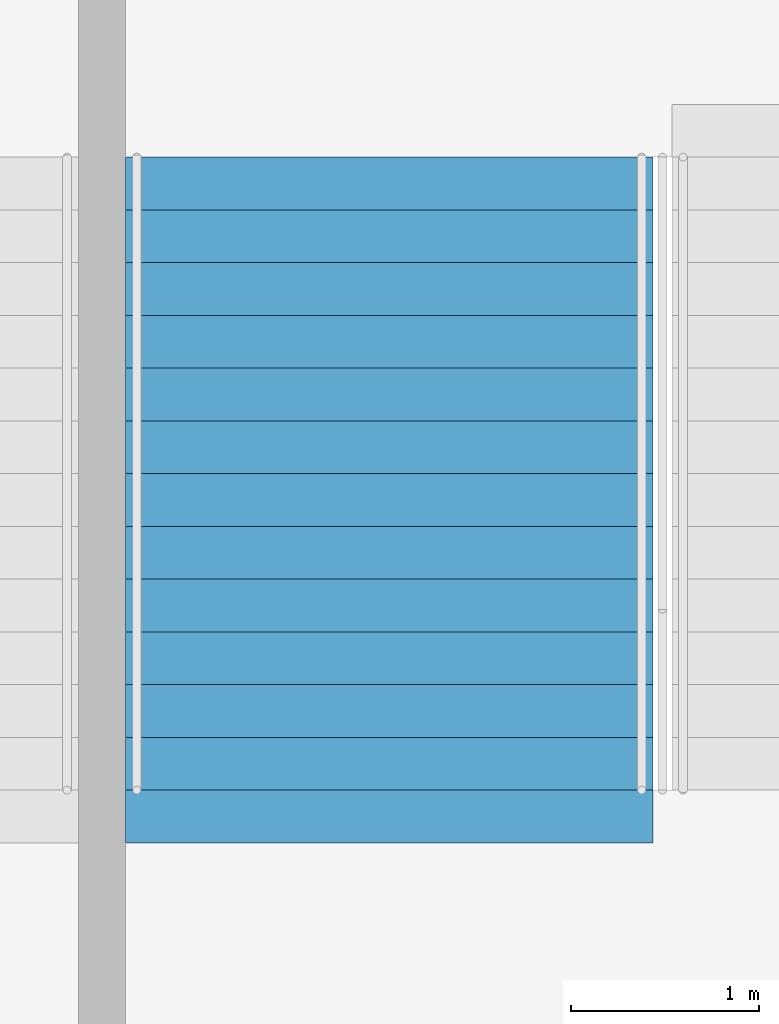
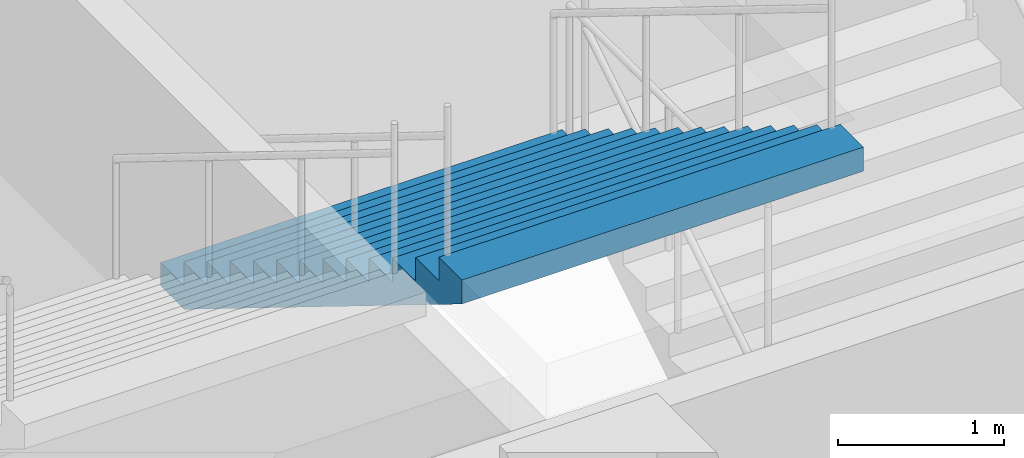
# One storey, part 209 of 249: 1 stair flight, 1 element without a shape of its own.
"""IFC4 building model written with IfcOpenShell, lengths in metres."""

import ifcopenshell
import ifcopenshell.guid

model = None  # the IFC model being written
_history = None  # IfcOwnerHistory: only IFC2X3 demands one
_inside = {}  # id of a spatial element -> (the spatial element, [elements in it])
_under = {}  # id of a project, library or spatial element -> (it, [spatial elements below it])
_declared = {}  # id of a project -> (the project, [libraries it declares])
_typed = {}  # id of a type object -> (the type object, [elements of that type])
_made_of = {}  # id of a material, layer set ... -> (it, [elements and type objects made of it])


def new_model(schema):
    """Start an empty IFC model of exactly this schema.

    Asked for "IFC4X3", IfcOpenShell would pick the latest addendum, in which some entities
    have other attributes; the version numbers below select the first issue.
    IFC2X3 requires an IfcOwnerHistory on every rooted entity: one is made here for all.
    """
    global model, _history
    if schema == "IFC4X3":
        model = ifcopenshell.file(schema_version=(4, 3, 0, 0))
    else:
        model = ifcopenshell.file(schema=schema)
    _inside.clear()
    _under.clear()
    _declared.clear()
    _typed.clear()
    _made_of.clear()
    _history = None
    if model.schema == "IFC2X3":
        org = make("IfcOrganization", Name="unknown")
        user = make(
            "IfcPersonAndOrganization",
            ThePerson=make("IfcPerson", FamilyName="unknown"),
            TheOrganization=org,
        )
        app = make(
            "IfcApplication",
            ApplicationDeveloper=org,
            Version="unknown",
            ApplicationFullName="unknown",
            ApplicationIdentifier="unknown",
        )
        _history = make(
            "IfcOwnerHistory",
            OwningUser=user,
            OwningApplication=app,
            ChangeAction="ADDED",
            CreationDate=0,
        )
    return model


def make(cls, **values):
    """One entity of the class cls with the attributes given. An attribute that is None is left unset."""
    return model.create_entity(
        cls, **{name: value for name, value in values.items() if value is not None}
    )


def rooted(cls, **values):
    """An entity with a GlobalId (a new one), such as an element, a storey or a relation."""
    return make(cls, GlobalId=ifcopenshell.guid.new(), OwnerHistory=_history, **values)


def si_unit(unit_type, name, prefix=None):
    """IfcSIUnit, for example si_unit("LENGTHUNIT", "METRE", prefix="MILLI")."""
    return make("IfcSIUnit", UnitType=unit_type, Prefix=prefix, Name=name)


def assignment(units):
    """IfcUnitAssignment: the units of a project."""
    return None if units is None else make("IfcUnitAssignment", Units=units)


def point(xyz):
    """IfcCartesianPoint."""
    return None if xyz is None else make("IfcCartesianPoint", Coordinates=xyz)


def direction(xyz):
    """IfcDirection."""
    return None if xyz is None else make("IfcDirection", DirectionRatios=xyz)


def frame(location, z_axis=None, x_axis=None):
    """IfcAxis2Placement3D, a coordinate frame: its origin and axes. An axis left out is left unset."""
    return make(
        "IfcAxis2Placement3D",
        Location=point(location),
        Axis=direction(z_axis),
        RefDirection=direction(x_axis),
    )


def origin():
    """The frame at (0, 0, 0) with its axes left unset."""
    return frame((0.0, 0.0, 0.0))


def place(relative_to, where):
    """IfcLocalPlacement: puts the frame where relative to a parent placement (None: the world)."""
    return make(
        "IfcLocalPlacement", PlacementRelTo=relative_to, RelativePlacement=where
    )


def context(
    kind, dimensions, precision=None, world=None, true_north=None, identifier=None
):
    """IfcGeometricRepresentationContext, for example the 3D "Model" context."""
    return make(
        "IfcGeometricRepresentationContext",
        ContextIdentifier=identifier,
        ContextType=kind,
        CoordinateSpaceDimension=dimensions,
        Precision=precision,
        WorldCoordinateSystem=world,
        TrueNorth=true_north,
    )


def subcontext(parent, identifier, kind, view, scale=None):
    """IfcGeometricRepresentationSubContext, for example "Body" below "Model"."""
    return make(
        "IfcGeometricRepresentationSubContext",
        ContextIdentifier=identifier,
        ContextType=kind,
        ParentContext=parent,
        TargetScale=scale,
        TargetView=view,
    )


def project(units=None, contexts=None):
    """IfcProject with its units and contexts."""
    return rooted(
        "IfcProject",
        Name="project",
        RepresentationContexts=contexts,
        UnitsInContext=assignment(units),
    )


def spatial(cls, under=None, at=None, **own):
    """A site, building, storey or space (cls), placed at a placement, below another one or the project."""
    s = rooted(cls, ObjectPlacement=at, **own)
    if under is not None:
        _under.setdefault(under.id(), (under, []))[1].append(s)
    return s


def faces_of(points, faces, orient=None, outer=None):
    """IfcFace entities. A face is a list of loops; a loop is a list of indices into points, from 0.

    orient and outer hold one flag for each loop. By default every Orientation is true, the
    first loop of a face is its IfcFaceOuterBound and the others are IfcFaceBound.
    """
    made = []
    for i, loops in enumerate(faces):
        bounds = []
        for j, loop in enumerate(loops):
            is_outer = j == 0 if outer is None else outer[i][j]
            bounds.append(
                make(
                    "IfcFaceOuterBound" if is_outer else "IfcFaceBound",
                    Bound=make("IfcPolyLoop", Polygon=[points[k] for k in loop]),
                    Orientation=True if orient is None else orient[i][j],
                )
            )
        made.append(make("IfcFace", Bounds=bounds))
    return made


def faceted_brep(points, faces, orient=None, outer=None, voids=None):
    """IfcFacetedBrep: a solid bounded by flat faces; with voids (closed shells), ...WithVoids."""
    shared = [point(p) for p in points]
    hull = make("IfcClosedShell", CfsFaces=faces_of(shared, faces, orient, outer))
    if voids is None:
        return make("IfcFacetedBrep", Outer=hull)
    return make(
        "IfcFacetedBrepWithVoids",
        Outer=hull,
        Voids=[
            make(cls, CfsFaces=faces_of(shared, fs, o, b)) for cls, fs, o, b in voids
        ],
    )


def shape(context_of_items, identifier, shape_type, items):
    """IfcShapeRepresentation: the items that make up one representation, for example the "Body"."""
    return make(
        "IfcShapeRepresentation",
        ContextOfItems=context_of_items,
        RepresentationIdentifier=identifier,
        RepresentationType=shape_type,
        Items=items,
    )


def material(Name=None, Category=None):
    """IfcMaterial."""
    return make("IfcMaterial", Name=Name, Category=Category)


def made_of(thing, what):
    """Note that an element or type object is made of a material, layer set ...; save() writes the relation."""
    if what is not None:
        _made_of.setdefault(what.id(), (what, []))[1].append(thing)
    return thing


def type_object(cls, material=None, **own):
    """A type object (cls), such as IfcWallType, which elements share."""
    return made_of(rooted(cls, **own), material)


def element(
    cls,
    number,
    at=None,
    inside=None,
    cuts=None,
    type_object=None,
    material=None,
    context=None,
    identifier="Body",
    shape_type=None,
    held_by="IfcProductDefinitionShape",
    body=None,
    shapes=None,
    **own,
):
    """One element of the class cls, such as IfcWall. Its Tag is "e" and its number.

    at: its placement. inside: the storey or other place that contains it. cuts: it is an
    opening in that element (IfcRelVoidsElement). A single representation is given by context,
    identifier, shape_type and body (its items); several are given by shapes. held_by: the class
    of the entity that holds the representations. save() writes the other relations.
    """
    e = rooted(cls, Tag="e%d" % number, ObjectPlacement=at, **own)
    if body is not None:
        shapes = [shape(context, identifier, shape_type, body)]
    if shapes is not None:
        e.Representation = make(held_by, Representations=shapes)
    if inside is not None:
        _inside.setdefault(inside.id(), (inside, []))[1].append(e)
    if cuts is not None:
        rooted(
            "IfcRelVoidsElement", RelatingBuildingElement=cuts, RelatedOpeningElement=e
        )
    if type_object is not None:
        _typed.setdefault(type_object.id(), (type_object, []))[1].append(e)
    return made_of(e, material)


def aggregate(whole, parts):
    """IfcRelAggregates: a whole, such as a stair, and the parts it consists of."""
    return rooted("IfcRelAggregates", RelatingObject=whole, RelatedObjects=parts)


def save(model, path):
    """Write the relations noted so far, then the file.

    IfcRelAggregates (storeys below a building ...), IfcRelContainedInSpatialStructure (elements
    in a storey), IfcRelDefinesByType, IfcRelAssociatesMaterial and IfcRelDeclares: one each for
    every whole, place, type object, material and project.
    """
    for whole, parts in _under.values():
        aggregate(whole, parts)
    for where, things in _inside.values():
        rooted(
            "IfcRelContainedInSpatialStructure",
            RelatedElements=things,
            RelatingStructure=where,
        )
    for kind, things in _typed.values():
        rooted("IfcRelDefinesByType", RelatedObjects=things, RelatingType=kind)
    for what, things in _made_of.values():
        rooted("IfcRelAssociatesMaterial", RelatedObjects=things, RelatingMaterial=what)
    for by, libraries in _declared.values():
        rooted("IfcRelDeclares", RelatingContext=by, RelatedDefinitions=libraries)
    model.write(path)


model = new_model("IFC4")

# Units and contexts
model_context = context("Model", 3, precision=1e-05, world=origin(), true_north=direction((0.0, 1.0)))
body_context = subcontext(model_context, "Body", "Model", "MODEL_VIEW")
ifc_project = project(units=[si_unit("LENGTHUNIT", "METRE"), si_unit("AREAUNIT", "SQUARE_METRE"), si_unit("VOLUMEUNIT", "CUBIC_METRE"), si_unit("PLANEANGLEUNIT", "RADIAN"), si_unit("MASSUNIT", "GRAM", prefix="KILO")], contexts=[model_context])

# Site, building, storey
site_placement = place(None, origin())
site = spatial("IfcSite", under=ifc_project, at=site_placement, CompositionType="ELEMENT")
building_placement = place(site_placement, origin())
building = spatial("IfcBuilding", under=site, at=building_placement, Name="Ogive Plaza Stadium", CompositionType="ELEMENT")
storey_placement = place(building_placement, frame((0.0, 0.0, 13.5)))
storey = spatial("IfcBuildingStorey", under=building, at=storey_placement, Name="L03", CompositionType="ELEMENT", Elevation=13.5)

# Stair, stair flight
ifc_material_1 = material(Name="Concrete C40/50", Category="concrete")
stair_type = type_object("IfcStairType", Name="Exit stair", PredefinedType="STRAIGHT_RUN_STAIR", material=ifc_material_1)
stair_placement = place(storey_placement, origin())
stair = element("IfcStair", 1, at=stair_placement, inside=storey, type_object=stair_type, Name="Exit stair ST32A L03 to L04", PredefinedType="STRAIGHT_RUN_STAIR")
ifc_material_2 = material(Name="Concrete C40/50", Category="concrete")
stair_flight_type = type_object("IfcStairFlightType", Name="Exit stair flight", PredefinedType="STRAIGHT", material=ifc_material_2)
stair_flight_placement = place(storey_placement, frame((-32.47509765625, 98.2099609375, 2.25), z_axis=(0.0, 0.0, 1.0), x_axis=(0.0, -1.0, 0.0)))
stair_flight = element("IfcStairFlight", 2, at=stair_flight_placement, type_object=stair_flight_type, Name="ST32A flight 2", NumberOfRisers=13, NumberOfTreads=12, PredefinedType="STRAIGHT", RiserHeight=0.173076923, TreadLength=0.28, context=body_context, shape_type="Brep", body=[
    faceted_brep([(0.28515625, -1.39990234375, 0.0), (3.639892578125, -1.39990234375, 2.07373046875), (3.639892578125, -1.39990234375, 2.25), (3.360107421875, -1.39990234375, 2.25), (3.360107421875, -1.39990234375, 2.076904296875), (3.080078125, -1.39990234375, 2.076904296875), (3.080078125, -1.39990234375, 1.90380859375), (2.800048828125, -1.39990234375, 1.90380859375), (2.800048828125, -1.39990234375, 1.730712890625), (2.52001953125, -1.39990234375, 1.730712890625), (2.52001953125, -1.39990234375, 1.5576171875), (2.239990234375, -1.39990234375, 1.5576171875), (2.239990234375, -1.39990234375, 1.384521484375), (1.9599609375, -1.39990234375, 1.384521484375), (1.9599609375, -1.39990234375, 1.21142578125), (1.679931640625, -1.39990234375, 1.21142578125), (1.679931640625, -1.39990234375, 1.03857421875), (1.39990234375, -1.39990234375, 1.03857421875), (1.39990234375, -1.39990234375, 0.865478515625), (1.1201171875, -1.39990234375, 0.865478515625), (1.1201171875, -1.39990234375, 0.6923828125), (0.840087890625, -1.39990234375, 0.6923828125), (0.840087890625, -1.39990234375, 0.519287109375), (0.56005859375, -1.39990234375, 0.519287109375), (0.56005859375, -1.39990234375, 0.34619140625), (0.280029296875, -1.39990234375, 0.34619140625), (0.280029296875, -1.39990234375, 0.173095703125), (0.0, -1.39990234375, 0.173095703125), (0.0, -1.39990234375, 0.0), (0.0, 1.39990234375, 0.0), (0.0, 1.39990234375, 0.173095703125), (0.280029296875, 1.39990234375, 0.173095703125), (0.280029296875, 1.39990234375, 0.34619140625), (0.56005859375, 1.39990234375, 0.34619140625), (0.56005859375, 1.39990234375, 0.519287109375), (0.840087890625, 1.39990234375, 0.519287109375), (0.840087890625, 1.39990234375, 0.6923828125), (1.1201171875, 1.39990234375, 0.6923828125), (1.1201171875, 1.39990234375, 0.865478515625), (1.39990234375, 1.39990234375, 0.865478515625), (1.39990234375, 1.39990234375, 1.03857421875), (1.679931640625, 1.39990234375, 1.03857421875), (1.679931640625, 1.39990234375, 1.21142578125), (1.9599609375, 1.39990234375, 1.21142578125), (1.9599609375, 1.39990234375, 1.384521484375), (2.239990234375, 1.39990234375, 1.384521484375), (2.239990234375, 1.39990234375, 1.5576171875), (2.52001953125, 1.39990234375, 1.5576171875), (2.52001953125, 1.39990234375, 1.730712890625), (2.800048828125, 1.39990234375, 1.730712890625), (2.800048828125, 1.39990234375, 1.90380859375), (3.080078125, 1.39990234375, 1.90380859375), (3.080078125, 1.39990234375, 2.076904296875), (3.360107421875, 1.39990234375, 2.076904296875), (3.360107421875, 1.39990234375, 2.25), (3.639892578125, 1.39990234375, 2.25), (3.639892578125, 1.39990234375, 2.07373046875), (0.28515625, 1.39990234375, 0.0), (0.28515625, -1.0888671875, 0.0), (3.639892578125, -1.0888671875, 2.07373046875), (0.28515625, -0.77783203125, 0.0), (3.639892578125, -0.77783203125, 2.07373046875), (0.28515625, -0.466796875, 0.0), (3.639892578125, -0.466796875, 2.07373046875), (0.28515625, -0.155517578125, 0.0), (3.639892578125, -0.155517578125, 2.07373046875), (0.28515625, 0.155517578125, 0.0), (3.639892578125, 0.155517578125, 2.07373046875), (0.28515625, 0.466796875, 0.0), (3.639892578125, 0.466796875, 2.07373046875), (0.28515625, 0.77783203125, 0.0), (3.639892578125, 0.77783203125, 2.07373046875), (0.28515625, 1.0888671875, 0.0), (3.639892578125, 1.0888671875, 2.07373046875), (3.639892578125, -1.0888671875, 2.25), (3.639892578125, -0.77783203125, 2.25), (3.639892578125, -0.466796875, 2.25), (3.639892578125, -0.155517578125, 2.25), (3.639892578125, 0.155517578125, 2.25), (3.639892578125, 0.466796875, 2.25), (3.639892578125, 0.77783203125, 2.25), (3.639892578125, 1.0888671875, 2.25), (3.360107421875, -1.0888671875, 2.25), (3.360107421875, -0.77783203125, 2.25), (3.360107421875, -0.466796875, 2.25), (3.360107421875, -0.155517578125, 2.25), (3.360107421875, 0.155517578125, 2.25), (3.360107421875, 0.466796875, 2.25), (3.360107421875, 0.77783203125, 2.25), (3.360107421875, 1.0888671875, 2.25), (3.360107421875, -1.0888671875, 2.076904296875), (3.360107421875, -0.77783203125, 2.076904296875), (3.360107421875, -0.466796875, 2.076904296875), (3.360107421875, -0.155517578125, 2.076904296875), (3.360107421875, 0.155517578125, 2.076904296875), (3.360107421875, 0.466796875, 2.076904296875), (3.360107421875, 0.77783203125, 2.076904296875), (3.360107421875, 1.0888671875, 2.076904296875), (3.080078125, -1.0888671875, 2.076904296875), (3.080078125, -0.77783203125, 2.076904296875), (3.080078125, -0.466796875, 2.076904296875), (3.080078125, -0.155517578125, 2.076904296875), (3.080078125, 0.155517578125, 2.076904296875), (3.080078125, 0.466796875, 2.076904296875), (3.080078125, 0.77783203125, 2.076904296875), (3.080078125, 1.0888671875, 2.076904296875), (3.080078125, -1.0888671875, 1.90380859375), (3.080078125, -0.77783203125, 1.90380859375), (3.080078125, -0.466796875, 1.90380859375), (3.080078125, -0.155517578125, 1.90380859375), (3.080078125, 0.155517578125, 1.90380859375), (3.080078125, 0.466796875, 1.90380859375), (3.080078125, 0.77783203125, 1.90380859375), (3.080078125, 1.0888671875, 1.90380859375), (2.800048828125, -1.0888671875, 1.90380859375), (2.800048828125, -0.77783203125, 1.90380859375), (2.800048828125, -0.466796875, 1.90380859375), (2.800048828125, -0.155517578125, 1.90380859375), (2.800048828125, 0.155517578125, 1.90380859375), (2.800048828125, 0.466796875, 1.90380859375), (2.800048828125, 0.77783203125, 1.90380859375), (2.800048828125, 1.0888671875, 1.90380859375), (2.800048828125, -1.0888671875, 1.730712890625), (2.800048828125, -0.77783203125, 1.730712890625), (2.800048828125, -0.466796875, 1.730712890625), (2.800048828125, -0.155517578125, 1.730712890625), (2.800048828125, 0.155517578125, 1.730712890625), (2.800048828125, 0.466796875, 1.730712890625), (2.800048828125, 0.77783203125, 1.730712890625), (2.800048828125, 1.0888671875, 1.730712890625), (2.52001953125, -1.0888671875, 1.730712890625), (2.52001953125, -0.77783203125, 1.730712890625), (2.52001953125, -0.466796875, 1.730712890625), (2.52001953125, -0.155517578125, 1.730712890625), (2.52001953125, 0.155517578125, 1.730712890625), (2.52001953125, 0.466796875, 1.730712890625), (2.52001953125, 0.77783203125, 1.730712890625), (2.52001953125, 1.0888671875, 1.730712890625), (2.52001953125, -1.0888671875, 1.5576171875), (2.52001953125, -0.77783203125, 1.5576171875), (2.52001953125, -0.466796875, 1.5576171875), (2.52001953125, -0.155517578125, 1.5576171875), (2.52001953125, 0.155517578125, 1.5576171875), (2.52001953125, 0.466796875, 1.5576171875), (2.52001953125, 0.77783203125, 1.5576171875), (2.52001953125, 1.0888671875, 1.5576171875), (2.239990234375, -1.0888671875, 1.5576171875), (2.239990234375, -0.77783203125, 1.5576171875), (2.239990234375, -0.466796875, 1.5576171875), (2.239990234375, -0.155517578125, 1.5576171875), (2.239990234375, 0.155517578125, 1.5576171875), (2.239990234375, 0.466796875, 1.5576171875), (2.239990234375, 0.77783203125, 1.5576171875), (2.239990234375, 1.0888671875, 1.5576171875), (2.239990234375, -1.0888671875, 1.384521484375), (2.239990234375, -0.77783203125, 1.384521484375), (2.239990234375, -0.466796875, 1.384521484375), (2.239990234375, -0.155517578125, 1.384521484375), (2.239990234375, 0.155517578125, 1.384521484375), (2.239990234375, 0.466796875, 1.384521484375), (2.239990234375, 0.77783203125, 1.384521484375), (2.239990234375, 1.0888671875, 1.384521484375), (1.9599609375, -1.0888671875, 1.384521484375), (1.9599609375, -0.77783203125, 1.384521484375), (1.9599609375, -0.466796875, 1.384521484375), (1.9599609375, -0.155517578125, 1.384521484375), (1.9599609375, 0.155517578125, 1.384521484375), (1.9599609375, 0.466796875, 1.384521484375), (1.9599609375, 0.77783203125, 1.384521484375), (1.9599609375, 1.0888671875, 1.384521484375), (1.9599609375, -1.0888671875, 1.21142578125), (1.9599609375, -0.77783203125, 1.21142578125), (1.9599609375, -0.466796875, 1.21142578125), (1.9599609375, -0.155517578125, 1.21142578125), (1.9599609375, 0.155517578125, 1.21142578125), (1.9599609375, 0.466796875, 1.21142578125), (1.9599609375, 0.77783203125, 1.21142578125), (1.9599609375, 1.0888671875, 1.21142578125), (1.679931640625, -1.0888671875, 1.21142578125), (1.679931640625, -0.77783203125, 1.21142578125), (1.679931640625, -0.466796875, 1.21142578125), (1.679931640625, -0.155517578125, 1.21142578125), (1.679931640625, 0.155517578125, 1.21142578125), (1.679931640625, 0.466796875, 1.21142578125), (1.679931640625, 0.77783203125, 1.21142578125), (1.679931640625, 1.0888671875, 1.21142578125), (1.679931640625, -1.0888671875, 1.03857421875), (1.679931640625, -0.77783203125, 1.03857421875), (1.679931640625, -0.466796875, 1.03857421875), (1.679931640625, -0.155517578125, 1.03857421875), (1.679931640625, 0.155517578125, 1.03857421875), (1.679931640625, 0.466796875, 1.03857421875), (1.679931640625, 0.77783203125, 1.03857421875), (1.679931640625, 1.0888671875, 1.03857421875), (1.39990234375, -1.0888671875, 1.03857421875), (1.39990234375, -0.77783203125, 1.03857421875), (1.39990234375, -0.466796875, 1.03857421875), (1.39990234375, -0.155517578125, 1.03857421875), (1.39990234375, 0.155517578125, 1.03857421875), (1.39990234375, 0.466796875, 1.03857421875), (1.39990234375, 0.77783203125, 1.03857421875), (1.39990234375, 1.0888671875, 1.03857421875), (1.39990234375, -1.0888671875, 0.865478515625), (1.39990234375, -0.77783203125, 0.865478515625), (1.39990234375, -0.466796875, 0.865478515625), (1.39990234375, -0.155517578125, 0.865478515625), (1.39990234375, 0.155517578125, 0.865478515625), (1.39990234375, 0.466796875, 0.865478515625), (1.39990234375, 0.77783203125, 0.865478515625), (1.39990234375, 1.0888671875, 0.865478515625), (1.1201171875, -1.0888671875, 0.865478515625), (1.1201171875, -0.77783203125, 0.865478515625), (1.1201171875, -0.466796875, 0.865478515625), (1.1201171875, -0.155517578125, 0.865478515625), (1.1201171875, 0.155517578125, 0.865478515625), (1.1201171875, 0.466796875, 0.865478515625), (1.1201171875, 0.77783203125, 0.865478515625), (1.1201171875, 1.0888671875, 0.865478515625), (1.1201171875, -1.0888671875, 0.6923828125), (1.1201171875, -0.77783203125, 0.6923828125), (1.1201171875, -0.466796875, 0.6923828125), (1.1201171875, -0.155517578125, 0.6923828125), (1.1201171875, 0.155517578125, 0.6923828125), (1.1201171875, 0.466796875, 0.6923828125), (1.1201171875, 0.77783203125, 0.6923828125), (1.1201171875, 1.0888671875, 0.6923828125), (0.840087890625, -1.0888671875, 0.6923828125), (0.840087890625, -0.77783203125, 0.6923828125), (0.840087890625, -0.466796875, 0.6923828125), (0.840087890625, -0.155517578125, 0.6923828125), (0.840087890625, 0.155517578125, 0.6923828125), (0.840087890625, 0.466796875, 0.6923828125), (0.840087890625, 0.77783203125, 0.6923828125), (0.840087890625, 1.0888671875, 0.6923828125), (0.840087890625, -1.0888671875, 0.519287109375), (0.840087890625, -0.77783203125, 0.519287109375), (0.840087890625, -0.466796875, 0.519287109375), (0.840087890625, -0.155517578125, 0.519287109375), (0.840087890625, 0.155517578125, 0.519287109375), (0.840087890625, 0.466796875, 0.519287109375), (0.840087890625, 0.77783203125, 0.519287109375), (0.840087890625, 1.0888671875, 0.519287109375), (0.56005859375, -1.0888671875, 0.519287109375), (0.56005859375, -0.77783203125, 0.519287109375), (0.56005859375, -0.466796875, 0.519287109375), (0.56005859375, -0.155517578125, 0.519287109375), (0.56005859375, 0.155517578125, 0.519287109375), (0.56005859375, 0.466796875, 0.519287109375), (0.56005859375, 0.77783203125, 0.519287109375), (0.56005859375, 1.0888671875, 0.519287109375), (0.56005859375, -1.0888671875, 0.34619140625), (0.56005859375, -0.77783203125, 0.34619140625), (0.56005859375, -0.466796875, 0.34619140625), (0.56005859375, -0.155517578125, 0.34619140625), (0.56005859375, 0.155517578125, 0.34619140625), (0.56005859375, 0.466796875, 0.34619140625), (0.56005859375, 0.77783203125, 0.34619140625), (0.56005859375, 1.0888671875, 0.34619140625), (0.280029296875, -1.0888671875, 0.34619140625), (0.280029296875, -0.77783203125, 0.34619140625), (0.280029296875, -0.466796875, 0.34619140625), (0.280029296875, -0.155517578125, 0.34619140625), (0.280029296875, 0.155517578125, 0.34619140625), (0.280029296875, 0.466796875, 0.34619140625), (0.280029296875, 0.77783203125, 0.34619140625), (0.280029296875, 1.0888671875, 0.34619140625), (0.280029296875, -1.0888671875, 0.173095703125), (0.280029296875, -0.77783203125, 0.173095703125), (0.280029296875, -0.466796875, 0.173095703125), (0.280029296875, -0.155517578125, 0.173095703125), (0.280029296875, 0.155517578125, 0.173095703125), (0.280029296875, 0.466796875, 0.173095703125), (0.280029296875, 0.77783203125, 0.173095703125), (0.280029296875, 1.0888671875, 0.173095703125), (0.0, -1.0888671875, 0.173095703125), (0.0, -0.77783203125, 0.173095703125), (0.0, -0.466796875, 0.173095703125), (0.0, -0.155517578125, 0.173095703125), (0.0, 0.155517578125, 0.173095703125), (0.0, 0.466796875, 0.173095703125), (0.0, 0.77783203125, 0.173095703125), (0.0, 1.0888671875, 0.173095703125), (0.0, -1.0888671875, 0.0), (0.0, -0.77783203125, 0.0), (0.0, -0.466796875, 0.0), (0.0, -0.155517578125, 0.0), (0.0, 0.155517578125, 0.0), (0.0, 0.466796875, 0.0), (0.0, 0.77783203125, 0.0), (0.0, 1.0888671875, 0.0)], [[[0, 1, 2, 3, 4, 5, 6, 7, 8, 9, 10, 11, 12, 13, 14, 15, 16, 17, 18, 19, 20, 21, 22, 23, 24, 25, 26, 27, 28]], [[29, 30, 31, 32, 33, 34, 35, 36, 37, 38, 39, 40, 41, 42, 43, 44, 45, 46, 47, 48, 49, 50, 51, 52, 53, 54, 55, 56, 57]], [[0, 58, 59, 1]], [[58, 60, 61, 59]], [[60, 62, 63, 61]], [[62, 64, 65, 63]], [[64, 66, 67, 65]], [[66, 68, 69, 67]], [[68, 70, 71, 69]], [[70, 72, 73, 71]], [[72, 57, 56, 73]], [[1, 59, 74, 2]], [[59, 61, 75, 74]], [[61, 63, 76, 75]], [[63, 65, 77, 76]], [[65, 67, 78, 77]], [[67, 69, 79, 78]], [[69, 71, 80, 79]], [[71, 73, 81, 80]], [[73, 56, 55, 81]], [[2, 74, 82, 3]], [[74, 75, 83, 82]], [[75, 76, 84, 83]], [[76, 77, 85, 84]], [[77, 78, 86, 85]], [[78, 79, 87, 86]], [[79, 80, 88, 87]], [[80, 81, 89, 88]], [[81, 55, 54, 89]], [[3, 82, 90, 4]], [[82, 83, 91, 90]], [[83, 84, 92, 91]], [[84, 85, 93, 92]], [[85, 86, 94, 93]], [[86, 87, 95, 94]], [[87, 88, 96, 95]], [[88, 89, 97, 96]], [[89, 54, 53, 97]], [[4, 90, 98, 5]], [[90, 91, 99, 98]], [[91, 92, 100, 99]], [[92, 93, 101, 100]], [[93, 94, 102, 101]], [[94, 95, 103, 102]], [[95, 96, 104, 103]], [[96, 97, 105, 104]], [[97, 53, 52, 105]], [[5, 98, 106, 6]], [[98, 99, 107, 106]], [[99, 100, 108, 107]], [[100, 101, 109, 108]], [[101, 102, 110, 109]], [[102, 103, 111, 110]], [[103, 104, 112, 111]], [[104, 105, 113, 112]], [[105, 52, 51, 113]], [[6, 106, 114, 7]], [[106, 107, 115, 114]], [[107, 108, 116, 115]], [[108, 109, 117, 116]], [[109, 110, 118, 117]], [[110, 111, 119, 118]], [[111, 112, 120, 119]], [[112, 113, 121, 120]], [[113, 51, 50, 121]], [[7, 114, 122, 8]], [[114, 115, 123, 122]], [[115, 116, 124, 123]], [[116, 117, 125, 124]], [[117, 118, 126, 125]], [[118, 119, 127, 126]], [[119, 120, 128, 127]], [[120, 121, 129, 128]], [[121, 50, 49, 129]], [[8, 122, 130, 9]], [[122, 123, 131, 130]], [[123, 124, 132, 131]], [[124, 125, 133, 132]], [[125, 126, 134, 133]], [[126, 127, 135, 134]], [[127, 128, 136, 135]], [[128, 129, 137, 136]], [[129, 49, 48, 137]], [[9, 130, 138, 10]], [[130, 131, 139, 138]], [[131, 132, 140, 139]], [[132, 133, 141, 140]], [[133, 134, 142, 141]], [[134, 135, 143, 142]], [[135, 136, 144, 143]], [[136, 137, 145, 144]], [[137, 48, 47, 145]], [[10, 138, 146, 11]], [[138, 139, 147, 146]], [[139, 140, 148, 147]], [[140, 141, 149, 148]], [[141, 142, 150, 149]], [[142, 143, 151, 150]], [[143, 144, 152, 151]], [[144, 145, 153, 152]], [[145, 47, 46, 153]], [[11, 146, 154, 12]], [[146, 147, 155, 154]], [[147, 148, 156, 155]], [[148, 149, 157, 156]], [[149, 150, 158, 157]], [[150, 151, 159, 158]], [[151, 152, 160, 159]], [[152, 153, 161, 160]], [[153, 46, 45, 161]], [[12, 154, 162, 13]], [[154, 155, 163, 162]], [[155, 156, 164, 163]], [[156, 157, 165, 164]], [[157, 158, 166, 165]], [[158, 159, 167, 166]], [[159, 160, 168, 167]], [[160, 161, 169, 168]], [[161, 45, 44, 169]], [[13, 162, 170, 14]], [[162, 163, 171, 170]], [[163, 164, 172, 171]], [[164, 165, 173, 172]], [[165, 166, 174, 173]], [[166, 167, 175, 174]], [[167, 168, 176, 175]], [[168, 169, 177, 176]], [[169, 44, 43, 177]], [[14, 170, 178, 15]], [[170, 171, 179, 178]], [[171, 172, 180, 179]], [[172, 173, 181, 180]], [[173, 174, 182, 181]], [[174, 175, 183, 182]], [[175, 176, 184, 183]], [[176, 177, 185, 184]], [[177, 43, 42, 185]], [[15, 178, 186, 16]], [[178, 179, 187, 186]], [[179, 180, 188, 187]], [[180, 181, 189, 188]], [[181, 182, 190, 189]], [[182, 183, 191, 190]], [[183, 184, 192, 191]], [[184, 185, 193, 192]], [[185, 42, 41, 193]], [[16, 186, 194, 17]], [[186, 187, 195, 194]], [[187, 188, 196, 195]], [[188, 189, 197, 196]], [[189, 190, 198, 197]], [[190, 191, 199, 198]], [[191, 192, 200, 199]], [[192, 193, 201, 200]], [[193, 41, 40, 201]], [[17, 194, 202, 18]], [[194, 195, 203, 202]], [[195, 196, 204, 203]], [[196, 197, 205, 204]], [[197, 198, 206, 205]], [[198, 199, 207, 206]], [[199, 200, 208, 207]], [[200, 201, 209, 208]], [[201, 40, 39, 209]], [[18, 202, 210, 19]], [[202, 203, 211, 210]], [[203, 204, 212, 211]], [[204, 205, 213, 212]], [[205, 206, 214, 213]], [[206, 207, 215, 214]], [[207, 208, 216, 215]], [[208, 209, 217, 216]], [[209, 39, 38, 217]], [[19, 210, 218, 20]], [[210, 211, 219, 218]], [[211, 212, 220, 219]], [[212, 213, 221, 220]], [[213, 214, 222, 221]], [[214, 215, 223, 222]], [[215, 216, 224, 223]], [[216, 217, 225, 224]], [[217, 38, 37, 225]], [[20, 218, 226, 21]], [[218, 219, 227, 226]], [[219, 220, 228, 227]], [[220, 221, 229, 228]], [[221, 222, 230, 229]], [[222, 223, 231, 230]], [[223, 224, 232, 231]], [[224, 225, 233, 232]], [[225, 37, 36, 233]], [[21, 226, 234, 22]], [[226, 227, 235, 234]], [[227, 228, 236, 235]], [[228, 229, 237, 236]], [[229, 230, 238, 237]], [[230, 231, 239, 238]], [[231, 232, 240, 239]], [[232, 233, 241, 240]], [[233, 36, 35, 241]], [[22, 234, 242, 23]], [[234, 235, 243, 242]], [[235, 236, 244, 243]], [[236, 237, 245, 244]], [[237, 238, 246, 245]], [[238, 239, 247, 246]], [[239, 240, 248, 247]], [[240, 241, 249, 248]], [[241, 35, 34, 249]], [[23, 242, 250, 24]], [[242, 243, 251, 250]], [[243, 244, 252, 251]], [[244, 245, 253, 252]], [[245, 246, 254, 253]], [[246, 247, 255, 254]], [[247, 248, 256, 255]], [[248, 249, 257, 256]], [[249, 34, 33, 257]], [[24, 250, 258, 25]], [[250, 251, 259, 258]], [[251, 252, 260, 259]], [[252, 253, 261, 260]], [[253, 254, 262, 261]], [[254, 255, 263, 262]], [[255, 256, 264, 263]], [[256, 257, 265, 264]], [[257, 33, 32, 265]], [[25, 258, 266, 26]], [[258, 259, 267, 266]], [[259, 260, 268, 267]], [[260, 261, 269, 268]], [[261, 262, 270, 269]], [[262, 263, 271, 270]], [[263, 264, 272, 271]], [[264, 265, 273, 272]], [[265, 32, 31, 273]], [[26, 266, 274, 27]], [[266, 267, 275, 274]], [[267, 268, 276, 275]], [[268, 269, 277, 276]], [[269, 270, 278, 277]], [[270, 271, 279, 278]], [[271, 272, 280, 279]], [[272, 273, 281, 280]], [[273, 31, 30, 281]], [[27, 274, 282, 28]], [[274, 275, 283, 282]], [[275, 276, 284, 283]], [[276, 277, 285, 284]], [[277, 278, 286, 285]], [[278, 279, 287, 286]], [[279, 280, 288, 287]], [[280, 281, 289, 288]], [[281, 30, 29, 289]], [[28, 282, 58, 0]], [[282, 283, 60, 58]], [[283, 284, 62, 60]], [[284, 285, 64, 62]], [[285, 286, 66, 64]], [[286, 287, 68, 66]], [[287, 288, 70, 68]], [[288, 289, 72, 70]], [[289, 29, 57, 72]]]),
])
aggregate(stair, [stair_flight])

save(model, "model.ifc")
